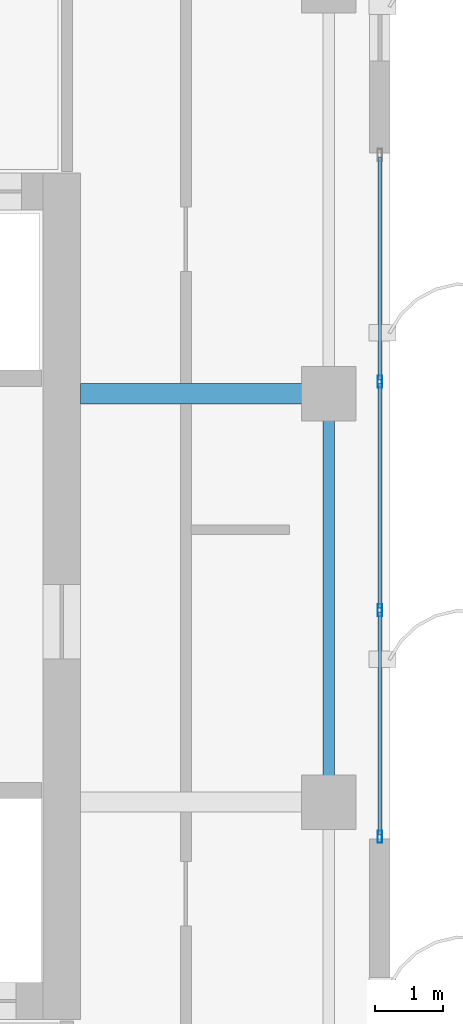
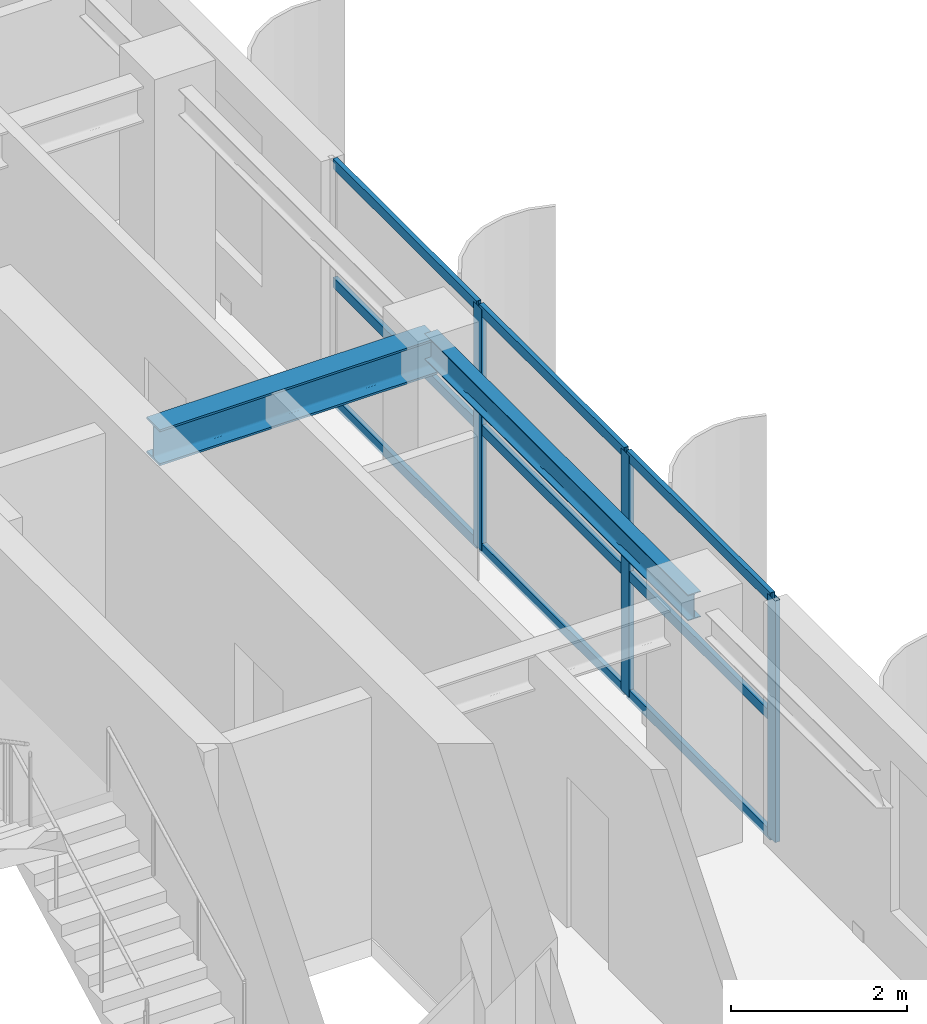
# One storey, part 12 of 24: 12 members, 2 beams, 1 element without a shape of its own.
"""IFC4 building model written with IfcOpenShell, lengths in metres."""

from ifc_helpers import new_model, si_unit, direction, frame, origin, origin_2d, place, context, subcontext, project, spatial, hollow_rectangle, i_section, extrude, source, transform, mapped, material, layer, layer_set, material_profile, profile_set, type_object, element, aggregate, save


model = new_model("IFC4")

# Units and contexts
model_context = context("Model", 3, precision=1e-05, world=origin(), true_north=direction((0.0, 1.0)))
body_context = subcontext(model_context, "Body", "Model", "MODEL_VIEW")
ifc_project = project(units=[si_unit("LENGTHUNIT", "METRE"), si_unit("AREAUNIT", "SQUARE_METRE"), si_unit("VOLUMEUNIT", "CUBIC_METRE"), si_unit("PLANEANGLEUNIT", "RADIAN"), si_unit("MASSUNIT", "GRAM", prefix="KILO")], contexts=[model_context])

# Site, building, storey
site_placement = place(None, origin())
site = spatial("IfcSite", under=ifc_project, at=site_placement, CompositionType="ELEMENT")
building_placement = place(site_placement, origin())
building = spatial("IfcBuilding", under=site, at=building_placement, Name="Khoralis Quay Care Tower", CompositionType="ELEMENT")
storey_placement = place(building_placement, frame((0.0, 0.0, 234.89990234375)))
storey = spatial("IfcBuildingStorey", under=building, at=storey_placement, Name="L61", CompositionType="ELEMENT", Elevation=234.89990234375)

# Beams
ifc_material_1 = material(Name="Steel S355", Category="steel")
ifc_material_profile_1 = material_profile(ifc_material_1, i_section(OverallWidth=0.169921875, OverallDepth=0.360107421875, WebThickness=0.008056640625, FlangeThickness=0.0126953125, FilletRadius=0.01806640625, at=origin_2d()), Name="Steel S355")
ifc_profile_set_1 = profile_set([ifc_material_profile_1], Name="Steel S355")
beam_type_1 = type_object("IfcBeamType", Name="BM-IPE360", PredefinedType="SPANDREL", material=ifc_profile_set_1)
shared_shape_1 = source(origin(), body_context, "Body", "SweptSolid", [
    extrude(i_section(OverallWidth=0.169921875, OverallDepth=0.360107421875, WebThickness=0.008056640625, FlangeThickness=0.0126953125, FilletRadius=0.01806640625, at=origin_2d()), origin(), (0.0, 0.0, 1.0), 6.0),
])
beam_1_placement = place(storey_placement, frame((41.10009765625, 18.0, 3.18017578125), z_axis=(0.0, 1.0, 0.0), x_axis=(-1.0, 0.0, 0.0)))
element("IfcBeam", 1, at=beam_1_placement, inside=storey, type_object=beam_type_1, Name="BM-TSP-L61-10", PredefinedType="SPANDREL", context=body_context, shape_type="MappedRepresentation", body=[
    mapped(shared_shape_1, transform((0.0, 0.0, 0.0), scale=1.0)),
])
ifc_material_profile_2 = material_profile(ifc_material_1, i_section(OverallWidth=0.300048828125, OverallDepth=0.5, WebThickness=0.014404296875, FlangeThickness=0.028076171875, FilletRadius=0.027099609375, at=origin_2d()), Name="Steel S355")
ifc_profile_set_2 = profile_set([ifc_material_profile_2], Name="Steel S355")
beam_type_2 = type_object("IfcBeamType", Name="BM-HEB500", PredefinedType="BEAM", material=ifc_profile_set_2)
shared_shape_2 = source(origin(), body_context, "Body", "SweptSolid", [
    extrude(i_section(OverallWidth=0.300048828125, OverallDepth=0.5, WebThickness=0.014404296875, FlangeThickness=0.028076171875, FilletRadius=0.027099609375, at=origin_2d()), origin(), (0.0, 0.0, 1.0), 3.652099609375),
])
beam_2_placement = place(storey_placement, frame((37.447998046875, 24.0, 3.110107421875), z_axis=(1.0, 0.0, 0.0), x_axis=(0.0, 1.0, 0.0)))
element("IfcBeam", 2, at=beam_2_placement, inside=storey, type_object=beam_type_2, Name="BM-TGXE-L61-240", PredefinedType="BEAM", context=body_context, shape_type="MappedRepresentation", body=[
    mapped(shared_shape_2, transform((0.0, 0.0, 0.0), scale=1.0)),
])

# Curtain wall, members
ifc_material_2 = material(Name="Pale anodised aluminium", Category="aluminium")
ifc_layer = layer(ifc_material_2, 0.159912109375)
ifc_layer_set = layer_set([ifc_layer], Name="Pale anodised aluminium")
curtain_wall_type = type_object("IfcCurtainWallType", Name="CW-SYS-Z3", PredefinedType="NOTDEFINED", material=ifc_layer_set)
curtain_wall_placement = place(storey_placement, origin())
curtain_wall = element("IfcCurtainWall", 3, at=curtain_wall_placement, inside=storey, type_object=curtain_wall_type, Name="L61 Unitised Curtain Wall CW-L61-P2-E5", PredefinedType="NOTDEFINED")
ifc_material_profile_3 = material_profile(ifc_material_2, hollow_rectangle(XDim=0.06494140625, YDim=0.179931640625, WallThickness=0.00390625, at=origin_2d()), Name="Pale anodised aluminium")
ifc_profile_set_3 = profile_set([ifc_material_profile_3], Name="Pale anodised aluminium")
member_type_1 = type_object("IfcMemberType", Name="CW-MUL-180", PredefinedType="MULLION", material=ifc_profile_set_3)
shared_shape_3 = source(origin(), body_context, "Body", "SweptSolid", [
    extrude(hollow_rectangle(XDim=0.06494140625, YDim=0.179931640625, WallThickness=0.00390625, at=origin_2d()), origin(), (0.0, 0.0, 1.0), 3.360107421875),
])
member_1_placement = place(storey_placement, frame((41.85009765625, 17.489990234375, 0.0), z_axis=(0.0, 0.0, 1.0), x_axis=(-1.0, 0.0, 0.0)))
member_1 = element("IfcMember", 4, at=member_1_placement, type_object=member_type_1, Name="CW3 mullion 1", PredefinedType="MULLION", context=body_context, shape_type="MappedRepresentation", body=[
    mapped(shared_shape_3, transform((0.0, 0.0, 0.0), scale=1.0)),
])
member_2_placement = place(storey_placement, frame((41.85009765625, 20.820068359375, 0.0), z_axis=(0.0, 0.0, 1.0), x_axis=(-1.0, 0.0, 0.0)))
member_2 = element("IfcMember", 5, at=member_2_placement, type_object=member_type_1, Name="CW3 mullion 2", PredefinedType="MULLION", context=body_context, shape_type="MappedRepresentation", body=[
    mapped(shared_shape_3, transform((0.0, 0.0, 0.0), scale=1.0)),
])
member_3_placement = place(storey_placement, frame((41.85009765625, 24.179931640625, 0.0), z_axis=(0.0, 0.0, 1.0), x_axis=(-1.0, 0.0, 0.0)))
member_3 = element("IfcMember", 6, at=member_3_placement, type_object=member_type_1, Name="CW3 mullion 3", PredefinedType="MULLION", context=body_context, shape_type="MappedRepresentation", body=[
    mapped(shared_shape_3, transform((0.0, 0.0, 0.0), scale=1.0)),
])
ifc_material_profile_4 = material_profile(ifc_material_2, hollow_rectangle(XDim=0.06005859375, YDim=0.139892578125, WallThickness=0.00390625, at=origin_2d()), Name="Pale anodised aluminium")
ifc_profile_set_4 = profile_set([ifc_material_profile_4], Name="Pale anodised aluminium")
member_type_2 = type_object("IfcMemberType", Name="CW-TRN-140", PredefinedType="USERDEFINED", material=ifc_profile_set_4)
shared_shape_4 = source(origin(), body_context, "Body", "SweptSolid", [
    extrude(hollow_rectangle(XDim=0.06005859375, YDim=0.139892578125, WallThickness=0.00390625, at=origin_2d()), origin(), (0.0, 0.0, 1.0), 3.27001953125),
])
member_4_placement = place(storey_placement, frame((41.85009765625, 17.52001953125, 0.030029296875), z_axis=(0.0, 1.0, 0.0), x_axis=(-1.0, 0.0, 0.0)))
member_4 = element("IfcMember", 7, at=member_4_placement, type_object=member_type_2, Name="CW3 transom 1.1", ObjectType="TRANSOM", PredefinedType="USERDEFINED", context=body_context, shape_type="MappedRepresentation", body=[
    mapped(shared_shape_4, transform((0.0, 0.0, 0.0), scale=1.0)),
])
member_5_placement = place(storey_placement, frame((41.85009765625, 17.52001953125, 1.68017578125), z_axis=(0.0, 1.0, 0.0), x_axis=(-1.0, 0.0, 0.0)))
member_5 = element("IfcMember", 8, at=member_5_placement, type_object=member_type_2, Name="CW3 transom 1.2", ObjectType="TRANSOM", PredefinedType="USERDEFINED", context=body_context, shape_type="MappedRepresentation", body=[
    mapped(shared_shape_4, transform((0.0, 0.0, 0.0), scale=1.0)),
])
member_6_placement = place(storey_placement, frame((41.85009765625, 17.52001953125, 3.330078125), z_axis=(0.0, 1.0, 0.0), x_axis=(-1.0, 0.0, 0.0)))
member_6 = element("IfcMember", 9, at=member_6_placement, type_object=member_type_2, Name="CW3 transom 1.3", ObjectType="TRANSOM", PredefinedType="USERDEFINED", context=body_context, shape_type="MappedRepresentation", body=[
    mapped(shared_shape_4, transform((0.0, 0.0, 0.0), scale=1.0)),
])
member_7_placement = place(storey_placement, frame((41.85009765625, 24.2099609375, 0.030029296875), z_axis=(0.0, 1.0, 0.0), x_axis=(-1.0, 0.0, 0.0)))
member_7 = element("IfcMember", 10, at=member_7_placement, type_object=member_type_2, Name="CW3 transom 3.1", ObjectType="TRANSOM", PredefinedType="USERDEFINED", context=body_context, shape_type="MappedRepresentation", body=[
    mapped(shared_shape_4, transform((0.0, 0.0, 0.0), scale=1.0)),
])
member_8_placement = place(storey_placement, frame((41.85009765625, 24.2099609375, 1.68017578125), z_axis=(0.0, 1.0, 0.0), x_axis=(-1.0, 0.0, 0.0)))
member_8 = element("IfcMember", 11, at=member_8_placement, type_object=member_type_2, Name="CW3 transom 3.2", ObjectType="TRANSOM", PredefinedType="USERDEFINED", context=body_context, shape_type="MappedRepresentation", body=[
    mapped(shared_shape_4, transform((0.0, 0.0, 0.0), scale=1.0)),
])
member_9_placement = place(storey_placement, frame((41.85009765625, 24.2099609375, 3.330078125), z_axis=(0.0, 1.0, 0.0), x_axis=(-1.0, 0.0, 0.0)))
member_9 = element("IfcMember", 12, at=member_9_placement, type_object=member_type_2, Name="CW3 transom 3.3", ObjectType="TRANSOM", PredefinedType="USERDEFINED", context=body_context, shape_type="MappedRepresentation", body=[
    mapped(shared_shape_4, transform((0.0, 0.0, 0.0), scale=1.0)),
])
shared_shape_5 = source(origin(), body_context, "Body", "SweptSolid", [
    extrude(hollow_rectangle(XDim=0.06005859375, YDim=0.139892578125, WallThickness=0.00390625, at=origin_2d()), origin(), (0.0, 0.0, 1.0), 3.2998046875),
])
member_10_placement = place(storey_placement, frame((41.85009765625, 20.85009765625, 0.030029296875), z_axis=(0.0, 1.0, 0.0), x_axis=(-1.0, 0.0, 0.0)))
member_10 = element("IfcMember", 13, at=member_10_placement, type_object=member_type_2, Name="CW3 transom 2.1", ObjectType="TRANSOM", PredefinedType="USERDEFINED", context=body_context, shape_type="MappedRepresentation", body=[
    mapped(shared_shape_5, transform((0.0, 0.0, 0.0), scale=1.0)),
])
member_11_placement = place(storey_placement, frame((41.85009765625, 20.85009765625, 1.68017578125), z_axis=(0.0, 1.0, 0.0), x_axis=(-1.0, 0.0, 0.0)))
member_11 = element("IfcMember", 14, at=member_11_placement, type_object=member_type_2, Name="CW3 transom 2.2", ObjectType="TRANSOM", PredefinedType="USERDEFINED", context=body_context, shape_type="MappedRepresentation", body=[
    mapped(shared_shape_5, transform((0.0, 0.0, 0.0), scale=1.0)),
])
member_12_placement = place(storey_placement, frame((41.85009765625, 20.85009765625, 3.330078125), z_axis=(0.0, 1.0, 0.0), x_axis=(-1.0, 0.0, 0.0)))
member_12 = element("IfcMember", 15, at=member_12_placement, type_object=member_type_2, Name="CW3 transom 2.3", ObjectType="TRANSOM", PredefinedType="USERDEFINED", context=body_context, shape_type="MappedRepresentation", body=[
    mapped(shared_shape_5, transform((0.0, 0.0, 0.0), scale=1.0)),
])
aggregate(curtain_wall, [member_1, member_2, member_3, member_4, member_5, member_6, member_10, member_11, member_12, member_7, member_8, member_9])

save(model, "model.ifc")
